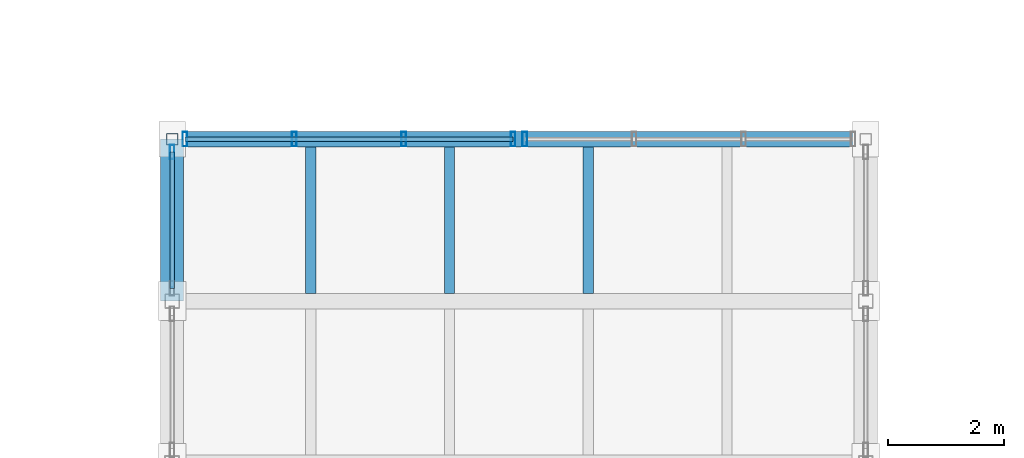
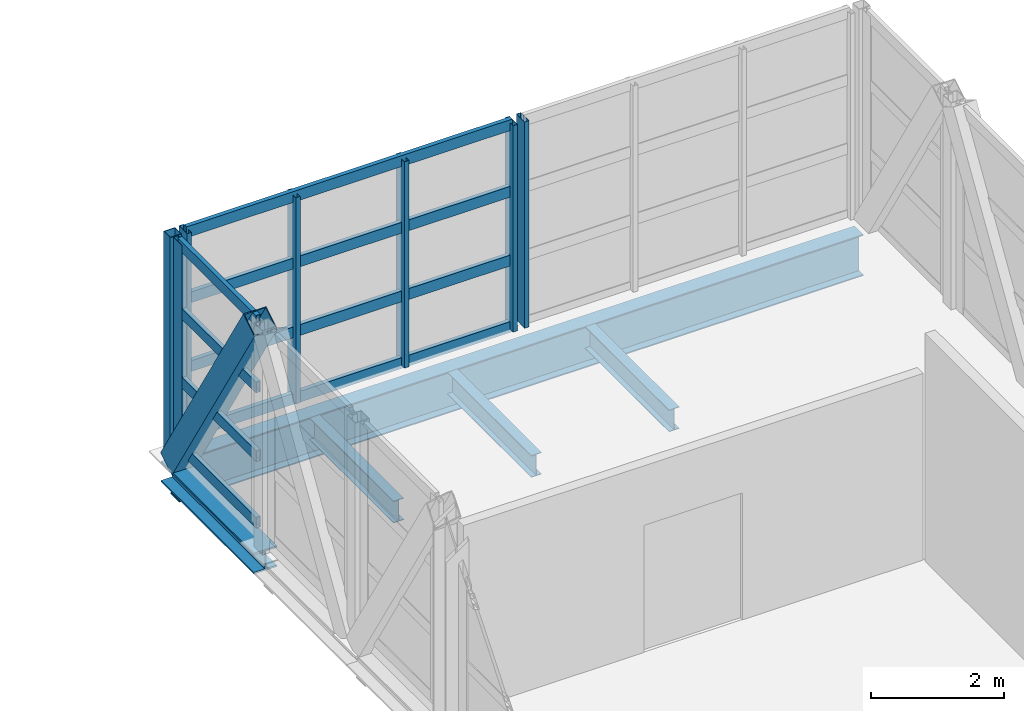
# One storey, part 26 of 63: 16 members, 5 beams, 3 elements without a shape of their own.
"""IFC4 building model written with IfcOpenShell, lengths in metres."""

from ifc_helpers import new_model, si_unit, direction, frame, origin, origin_2d, place, context, subcontext, project, spatial, hollow_rectangle, i_section, extrude, material, material_profile, profile_set, type_object, element, aggregate, save


model = new_model("IFC4")

# Units and contexts
model_context = context("Model", 3, precision=1e-05, world=origin(), true_north=direction((0.0, 1.0)))
body_context = subcontext(model_context, "Body", "Model", "MODEL_VIEW")
ifc_project = project(units=[si_unit("LENGTHUNIT", "METRE"), si_unit("AREAUNIT", "SQUARE_METRE"), si_unit("VOLUMEUNIT", "CUBIC_METRE"), si_unit("PLANEANGLEUNIT", "RADIAN"), si_unit("MASSUNIT", "GRAM", prefix="KILO")], contexts=[model_context])

# Site, building, storey
site_placement = place(None, origin())
site = spatial("IfcSite", under=ifc_project, at=site_placement, CompositionType="ELEMENT")
building_placement = place(site_placement, origin())
building = spatial("IfcBuilding", under=site, at=building_placement, Name="Kelmvaro Bay Concert Hall", CompositionType="ELEMENT")
storey_placement = place(building_placement, frame((0.0, 0.0, 13.800048828125)))
storey = spatial("IfcBuildingStorey", under=building, at=storey_placement, Name="L03", CompositionType="ELEMENT", Elevation=13.800048828125)

# Beams
ifc_material_1 = material(Name="Steel ASTM A992 Grade 50", Category="steel")
ifc_material_profile_1 = material_profile(ifc_material_1, i_section(OverallWidth=0.177978515625, OverallDepth=0.406005859375, WebThickness=0.0078125, FlangeThickness=0.0126953125, at=origin_2d()), Name="W16X40")
ifc_profile_set_1 = profile_set([ifc_material_profile_1], Name="Steel ASTM A992 Grade 50")
beam_type_1 = type_object("IfcBeamType", Name="Bridge Deck Floor Joist W16x40", PredefinedType="JOIST", material=ifc_profile_set_1)
for number, where, z_axis, x_axis, name in (
    (1, (122.39990234375, 102.93359375, -0.532958984375), (0.0, 1.0, 0.0), (-1.0, 0.0, 0.0), "Bridge Deck Joist L03-22"),
    (2, (124.800048828125, 102.93359375, -0.532958984375), (0.0, 1.0, 0.0), (-1.0, 0.0, 0.0), "Bridge Deck Joist L03-22"),
    (3, (127.199951171875, 102.93359375, -0.532958984375), (0.0, 1.0, 0.0), (-1.0, 0.0, 0.0), "Bridge Deck Joist L03-22"),
):
    element("IfcBeam", number, at=place(storey_placement, frame(where, z_axis=z_axis, x_axis=x_axis)), inside=storey, type_object=beam_type_1, Name=name, PredefinedType="JOIST", context=body_context, shape_type="SweptSolid", body=[
        extrude(i_section(OverallWidth=0.177978515625, OverallDepth=0.406005859375, WebThickness=0.0078125, FlangeThickness=0.0126953125, at=origin_2d()), origin(), (0.0, 0.0, 1.0), 2.532958984375),
    ])

# Members
ifc_material_2 = material(Name="Steel ASTM A500 Grade C", Category="steel")
ifc_material_profile_2 = material_profile(ifc_material_2, hollow_rectangle(XDim=0.199951171875, YDim=0.199951171875, WallThickness=0.010009765625, at=origin_2d()), Name="HSS200X200X10")
ifc_profile_set_2 = profile_set([ifc_material_profile_2], Name="Steel ASTM A500 Grade C")
member_type_1 = type_object("IfcMemberType", Name="Bridge End Truss Post HSS200x200x10", PredefinedType="STRUT", material=ifc_profile_set_2)
member_1_placement = place(storey_placement, frame((120.0, 105.60009765625, -0.322021484375), z_axis=(0.0, 0.0, 1.0), x_axis=(1.0, 0.0, 0.0)))
element("IfcMember", 4, at=member_1_placement, inside=storey, type_object=member_type_1, Name="Bridge Truss W Vertical Post 23", PredefinedType="STRUT", context=body_context, shape_type="SweptSolid", body=[
    extrude(hollow_rectangle(XDim=0.199951171875, YDim=0.199951171875, WallThickness=0.010009765625, at=origin_2d()), origin(), (0.0, 0.0, 1.0), 4.135009765625),
])
ifc_material_3 = material(Name="Steel ASTM A500 Grade C", Category="steel")
ifc_material_profile_3 = material_profile(ifc_material_3, hollow_rectangle(XDim=0.39990234375, YDim=0.39990234375, WallThickness=0.01611328125, at=origin_2d()), Name="HSS400X400X16")
ifc_profile_set_3 = profile_set([ifc_material_profile_3], Name="Steel ASTM A500 Grade C")
member_type_2 = type_object("IfcMemberType", Name="Bridge Heavy Web Diagonal HSS400x400x16", PredefinedType="BRACE", material=ifc_profile_set_3)
member_2_placement = place(storey_placement, frame((120.0, 102.95263671875, 3.780517578125), z_axis=(0.0, 0.522610025981, -0.852571850781), x_axis=(-1.0, 0.0, 0.0)))
element("IfcMember", 5, at=member_2_placement, inside=storey, type_object=member_type_2, Name="Bridge Truss W Web Diagonal 22", PredefinedType="BRACE", context=body_context, shape_type="SweptSolid", body=[
    extrude(hollow_rectangle(XDim=0.39990234375, YDim=0.39990234375, WallThickness=0.01611328125, at=origin_2d()), origin(), (0.0, 0.0, 1.0), 4.77392578125),
])

# Curtain wall, member
ifc_material_4 = material(Name="Anodised Aluminium and Low-E Insulated Glazing", Category="aluminium")
curtain_wall_type = type_object("IfcCurtainWallType", Name="Bridge Cantilever Observation Glazing 3980", PredefinedType="USERDEFINED", material=ifc_material_4)
curtain_wall_1_placement = place(storey_placement, origin())
curtain_wall_1 = element("IfcCurtainWall", 6, at=curtain_wall_1_placement, inside=storey, type_object=curtain_wall_type, Name="Unitised Curtain Wall CW-BRG-W22", ObjectType="UNITISED GLAZING", PredefinedType="USERDEFINED")
ifc_material_5 = material(Name="Anodised Extruded Aluminium 6063-T6", Category="aluminium")
ifc_material_profile_4 = material_profile(ifc_material_5, hollow_rectangle(XDim=0.080078125, YDim=0.25, WallThickness=0.005615234375, at=origin_2d()), Name="ALU-MUL-250X80")
ifc_profile_set_4 = profile_set([ifc_material_profile_4], Name="Anodised Extruded Aluminium 6063-T6")
member_type_3 = type_object("IfcMemberType", Name="Bridge Hurricane Mullion ALU 250x80", PredefinedType="MULLION", material=ifc_profile_set_4)
member_3_placement = place(storey_placement, frame((120.0, 105.3798828125, 0.0), z_axis=(0.0, 0.0, 1.0), x_axis=(1.0, 0.0, 0.0)))
member_3 = element("IfcMember", 7, at=member_3_placement, type_object=member_type_3, Name="CW-BRG-W22 Mullion 02", PredefinedType="MULLION", context=body_context, shape_type="SweptSolid", body=[
    extrude(hollow_rectangle(XDim=0.080078125, YDim=0.25, WallThickness=0.005615234375, at=origin_2d()), origin(), (0.0, 0.0, 1.0), 3.800048828125),
])

# Curtain wall, members
curtain_wall_2_placement = place(storey_placement, origin())
curtain_wall_2 = element("IfcCurtainWall", 8, at=curtain_wall_2_placement, inside=storey, type_object=curtain_wall_type, Name="Unitised Curtain Wall CW-BRG-NEND1", ObjectType="UNITISED GLAZING", PredefinedType="USERDEFINED")
member_4_placement = place(storey_placement, frame((120.219970703125, 105.60009765625, 0.0), z_axis=(0.0, 0.0, 1.0), x_axis=(1.0, 0.0, 0.0)))
member_4 = element("IfcMember", 9, at=member_4_placement, type_object=member_type_3, Name="CW-BRG-NEND1 Mullion 01", PredefinedType="MULLION", context=body_context, shape_type="SweptSolid", body=[
    extrude(hollow_rectangle(XDim=0.080078125, YDim=0.25, WallThickness=0.005615234375, at=origin_2d()), origin(), (0.0, 0.0, 1.0), 3.800048828125),
])
member_5_placement = place(storey_placement, frame((122.11328125, 105.60009765625, 0.0), z_axis=(0.0, 0.0, 1.0), x_axis=(1.0, 0.0, 0.0)))
member_5 = element("IfcMember", 10, at=member_5_placement, type_object=member_type_3, Name="CW-BRG-NEND1 Mullion 02", PredefinedType="MULLION", context=body_context, shape_type="SweptSolid", body=[
    extrude(hollow_rectangle(XDim=0.080078125, YDim=0.25, WallThickness=0.005615234375, at=origin_2d()), origin(), (0.0, 0.0, 1.0), 3.800048828125),
])
member_6_placement = place(storey_placement, frame((124.006591796875, 105.60009765625, 0.0), z_axis=(0.0, 0.0, 1.0), x_axis=(1.0, 0.0, 0.0)))
member_6 = element("IfcMember", 11, at=member_6_placement, type_object=member_type_3, Name="CW-BRG-NEND1 Mullion 03", PredefinedType="MULLION", context=body_context, shape_type="SweptSolid", body=[
    extrude(hollow_rectangle(XDim=0.080078125, YDim=0.25, WallThickness=0.005615234375, at=origin_2d()), origin(), (0.0, 0.0, 1.0), 3.800048828125),
])
member_7_placement = place(storey_placement, frame((125.89990234375, 105.60009765625, 0.0), z_axis=(0.0, 0.0, 1.0), x_axis=(1.0, 0.0, 0.0)))
member_7 = element("IfcMember", 12, at=member_7_placement, type_object=member_type_3, Name="CW-BRG-NEND1 Mullion 04", PredefinedType="MULLION", context=body_context, shape_type="SweptSolid", body=[
    extrude(hollow_rectangle(XDim=0.080078125, YDim=0.25, WallThickness=0.005615234375, at=origin_2d()), origin(), (0.0, 0.0, 1.0), 3.800048828125),
])

# Curtain wall, member
curtain_wall_3_placement = place(storey_placement, origin())
curtain_wall_3 = element("IfcCurtainWall", 13, at=curtain_wall_3_placement, inside=storey, type_object=curtain_wall_type, Name="Unitised Curtain Wall CW-BRG-NEND2", ObjectType="UNITISED GLAZING", PredefinedType="USERDEFINED")
member_8_placement = place(storey_placement, frame((126.10009765625, 105.60009765625, 0.0), z_axis=(0.0, 0.0, 1.0), x_axis=(1.0, 0.0, 0.0)))
member_8 = element("IfcMember", 14, at=member_8_placement, type_object=member_type_3, Name="CW-BRG-NEND2 Mullion 01", PredefinedType="MULLION", context=body_context, shape_type="SweptSolid", body=[
    extrude(hollow_rectangle(XDim=0.080078125, YDim=0.25, WallThickness=0.005615234375, at=origin_2d()), origin(), (0.0, 0.0, 1.0), 3.800048828125),
])
aggregate(curtain_wall_3, [member_8])

# Member
ifc_material_6 = material(Name="Anodised Extruded Aluminium 6063-T6", Category="aluminium")
ifc_material_profile_5 = material_profile(ifc_material_6, hollow_rectangle(XDim=0.074951171875, YDim=0.199951171875, WallThickness=0.0048828125, at=origin_2d()), Name="ALU-TRN-200X75")
ifc_profile_set_5 = profile_set([ifc_material_profile_5], Name="Anodised Extruded Aluminium 6063-T6")
member_type_4 = type_object("IfcMemberType", Name="Bridge Hurricane Transom ALU 200x75", PredefinedType="USERDEFINED", material=ifc_profile_set_5)
member_9_placement = place(storey_placement, frame((120.0, 103.02001953125, 0.0400390625), z_axis=(0.0, 1.0, 0.0), x_axis=(-1.0, 0.0, 0.0)))
member_9 = element("IfcMember", 15, at=member_9_placement, type_object=member_type_4, Name="CW-BRG-W22 Transom 01", ObjectType="TRANSOM", PredefinedType="USERDEFINED", context=body_context, shape_type="SweptSolid", body=[
    extrude(hollow_rectangle(XDim=0.074951171875, YDim=0.199951171875, WallThickness=0.0048828125, at=origin_2d()), origin(), (0.0, 0.0, 1.0), 2.35986328125),
])

member_10_placement = place(storey_placement, frame((120.0, 103.02001953125, 1.2666015625), z_axis=(0.0, 1.0, 0.0), x_axis=(-1.0, 0.0, 0.0)))
member_10 = element("IfcMember", 16, at=member_10_placement, type_object=member_type_4, Name="CW-BRG-W22 Transom 02", ObjectType="TRANSOM", PredefinedType="USERDEFINED", context=body_context, shape_type="SweptSolid", body=[
    extrude(hollow_rectangle(XDim=0.074951171875, YDim=0.199951171875, WallThickness=0.0048828125, at=origin_2d()), origin(), (0.0, 0.0, 1.0), 2.35986328125),
])

member_11_placement = place(storey_placement, frame((120.0, 103.02001953125, 2.533203125), z_axis=(0.0, 1.0, 0.0), x_axis=(-1.0, 0.0, 0.0)))
member_11 = element("IfcMember", 17, at=member_11_placement, type_object=member_type_4, Name="CW-BRG-W22 Transom 03", ObjectType="TRANSOM", PredefinedType="USERDEFINED", context=body_context, shape_type="SweptSolid", body=[
    extrude(hollow_rectangle(XDim=0.074951171875, YDim=0.199951171875, WallThickness=0.0048828125, at=origin_2d()), origin(), (0.0, 0.0, 1.0), 2.35986328125),
])

member_12_placement = place(storey_placement, frame((120.0, 103.02001953125, 3.760009765625), z_axis=(0.0, 1.0, 0.0), x_axis=(-1.0, 0.0, 0.0)))
member_12 = element("IfcMember", 18, at=member_12_placement, type_object=member_type_4, Name="CW-BRG-W22 Transom 04", ObjectType="TRANSOM", PredefinedType="USERDEFINED", context=body_context, shape_type="SweptSolid", body=[
    extrude(hollow_rectangle(XDim=0.074951171875, YDim=0.199951171875, WallThickness=0.0048828125, at=origin_2d()), origin(), (0.0, 0.0, 1.0), 2.35986328125),
])

aggregate(curtain_wall_1, [member_3, member_9, member_10, member_11, member_12])

member_13_placement = place(storey_placement, frame((120.219970703125, 105.60009765625, 0.0400390625), z_axis=(1.0, 0.0, 0.0), x_axis=(0.0, 1.0, 0.0)))
member_13 = element("IfcMember", 19, at=member_13_placement, type_object=member_type_4, Name="CW-BRG-NEND1 Transom 01", ObjectType="TRANSOM", PredefinedType="USERDEFINED", context=body_context, shape_type="SweptSolid", body=[
    extrude(hollow_rectangle(XDim=0.074951171875, YDim=0.199951171875, WallThickness=0.0048828125, at=origin_2d()), origin(), (0.0, 0.0, 1.0), 5.679931640625),
])

member_14_placement = place(storey_placement, frame((120.219970703125, 105.60009765625, 1.2666015625), z_axis=(1.0, 0.0, 0.0), x_axis=(0.0, 1.0, 0.0)))
member_14 = element("IfcMember", 20, at=member_14_placement, type_object=member_type_4, Name="CW-BRG-NEND1 Transom 02", ObjectType="TRANSOM", PredefinedType="USERDEFINED", context=body_context, shape_type="SweptSolid", body=[
    extrude(hollow_rectangle(XDim=0.074951171875, YDim=0.199951171875, WallThickness=0.0048828125, at=origin_2d()), origin(), (0.0, 0.0, 1.0), 5.679931640625),
])

member_15_placement = place(storey_placement, frame((120.219970703125, 105.60009765625, 2.533203125), z_axis=(1.0, 0.0, 0.0), x_axis=(0.0, 1.0, 0.0)))
member_15 = element("IfcMember", 21, at=member_15_placement, type_object=member_type_4, Name="CW-BRG-NEND1 Transom 03", ObjectType="TRANSOM", PredefinedType="USERDEFINED", context=body_context, shape_type="SweptSolid", body=[
    extrude(hollow_rectangle(XDim=0.074951171875, YDim=0.199951171875, WallThickness=0.0048828125, at=origin_2d()), origin(), (0.0, 0.0, 1.0), 5.679931640625),
])

member_16_placement = place(storey_placement, frame((120.219970703125, 105.60009765625, 3.760009765625), z_axis=(1.0, 0.0, 0.0), x_axis=(0.0, 1.0, 0.0)))
member_16 = element("IfcMember", 22, at=member_16_placement, type_object=member_type_4, Name="CW-BRG-NEND1 Transom 04", ObjectType="TRANSOM", PredefinedType="USERDEFINED", context=body_context, shape_type="SweptSolid", body=[
    extrude(hollow_rectangle(XDim=0.074951171875, YDim=0.199951171875, WallThickness=0.0048828125, at=origin_2d()), origin(), (0.0, 0.0, 1.0), 5.679931640625),
])

aggregate(curtain_wall_2, [member_4, member_5, member_6, member_7, member_13, member_14, member_15, member_16])

# Beams
ifc_material_7 = material(Name="Steel ASTM A992 Grade 50", Category="steel")
ifc_material_profile_6 = material_profile(ifc_material_7, i_section(OverallWidth=0.26708984375, OverallDepth=0.761962890625, WebThickness=0.014404296875, FlangeThickness=0.021484375, at=origin_2d()), Name="W30X116")
ifc_profile_set_6 = profile_set([ifc_material_profile_6], Name="Steel ASTM A992 Grade 50")
beam_type_2 = type_object("IfcBeamType", Name="Bridge Transverse Floor Girder W30x116", PredefinedType="BEAM", material=ifc_profile_set_6)
beam_1_placement = place(storey_placement, frame((120.0400390625, 105.60009765625, -0.7109375), z_axis=(1.0, 0.0, 0.0), x_axis=(0.0, 1.0, 0.0)))
element("IfcBeam", 23, at=beam_1_placement, inside=storey, type_object=beam_type_2, Name="Bridge Transverse Floor Girder L03-23", PredefinedType="BEAM", context=body_context, shape_type="SweptSolid", body=[
    extrude(i_section(OverallWidth=0.26708984375, OverallDepth=0.761962890625, WebThickness=0.014404296875, FlangeThickness=0.021484375, at=origin_2d()), origin(), (0.0, 0.0, 1.0), 11.919921875),
])
ifc_material_8 = material(Name="Steel ASTM A992 Grade 50", Category="steel")
ifc_material_profile_7 = material_profile(ifc_material_8, i_section(OverallWidth=0.39892578125, OverallDepth=0.385986328125, WebThickness=0.02099609375, FlangeThickness=0.033203125, at=origin_2d()), Name="W14X176")
ifc_profile_set_7 = profile_set([ifc_material_profile_7], Name="Steel ASTM A992 Grade 50")
beam_type_3 = type_object("IfcBeamType", Name="Bridge Truss Bottom Chord W14x176", PredefinedType="BEAM", material=ifc_profile_set_7)
beam_2_placement = place(storey_placement, frame((120.0, 102.800048828125, -0.52294921875), z_axis=(0.0, 1.0, 0.0), x_axis=(-1.0, 0.0, 0.0)))
element("IfcBeam", 24, at=beam_2_placement, inside=storey, type_object=beam_type_3, Name="Bridge Truss W Bottom Chord 22", PredefinedType="BEAM", context=body_context, shape_type="SweptSolid", body=[
    extrude(i_section(OverallWidth=0.39892578125, OverallDepth=0.385986328125, WebThickness=0.02099609375, FlangeThickness=0.033203125, at=origin_2d()), origin(), (0.0, 0.0, 1.0), 2.800048828125),
])

save(model, "model.ifc")
